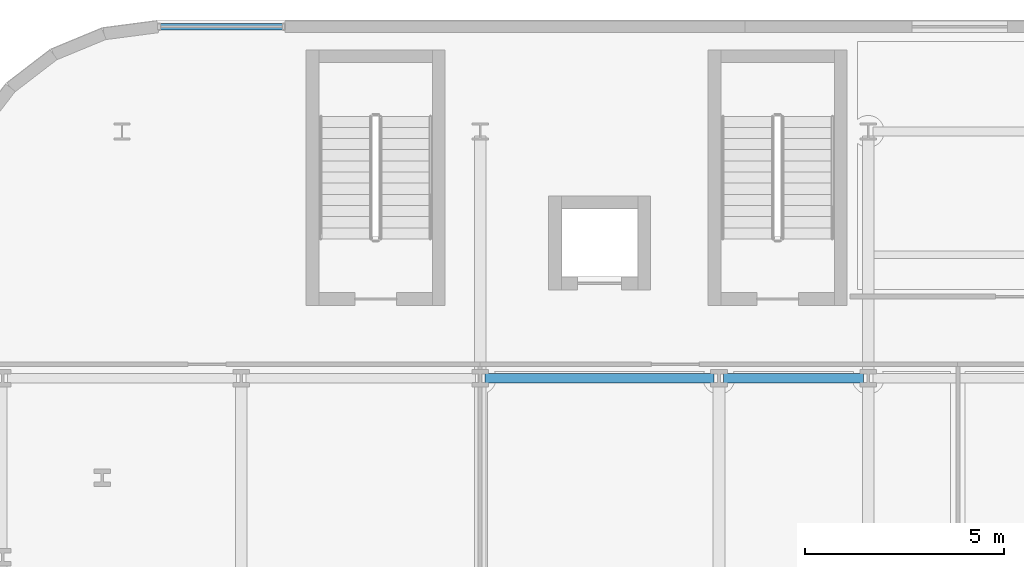
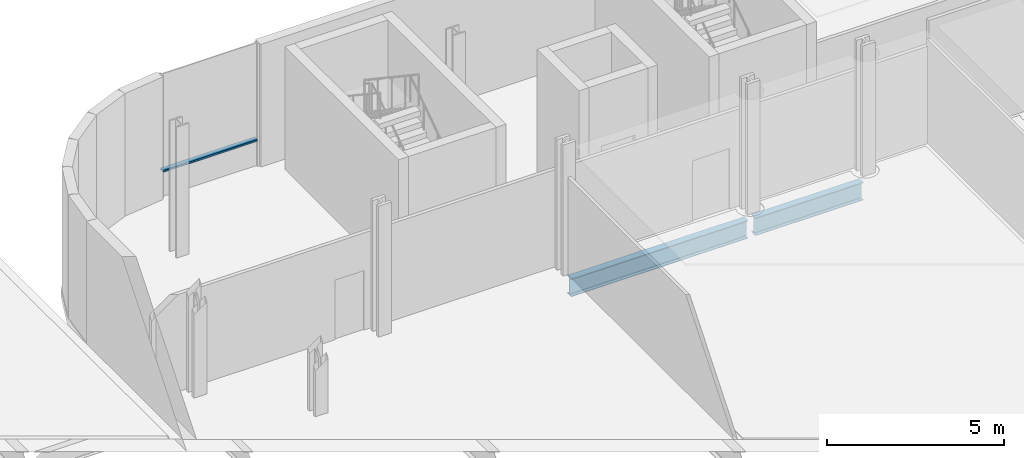
# One storey, part 5 of 26: 2 beams, 1 member, 1 element without a shape of its own.
"""IFC4 building model written with IfcOpenShell, lengths in metres."""

from ifc_helpers import new_model, si_unit, direction, frame, origin, origin_2d, place, context, subcontext, project, spatial, hollow_rectangle, i_section, extrude, material, layer, layer_set, material_profile, profile_set, type_object, element, aggregate, save


model = new_model("IFC4")

# Units and contexts
model_context = context("Model", 3, precision=1e-05, world=origin(), true_north=direction((0.0, 1.0)))
body_context = subcontext(model_context, "Body", "Model", "MODEL_VIEW")
ifc_project = project(units=[si_unit("LENGTHUNIT", "METRE"), si_unit("AREAUNIT", "SQUARE_METRE"), si_unit("VOLUMEUNIT", "CUBIC_METRE"), si_unit("PLANEANGLEUNIT", "RADIAN"), si_unit("MASSUNIT", "GRAM", prefix="KILO")], contexts=[model_context])

# Site, building, storey
site_placement = place(None, origin())
site = spatial("IfcSite", under=ifc_project, at=site_placement, CompositionType="ELEMENT")
building_placement = place(site_placement, origin())
building = spatial("IfcBuilding", under=site, at=building_placement, Name="Brevholm Reach", CompositionType="ELEMENT")
storey_placement = place(building_placement, frame((0.0, 0.0, 18.0)))
storey = spatial("IfcBuildingStorey", under=building, at=storey_placement, Name="L04", CompositionType="ELEMENT", Elevation=18.0)

# Beams
ifc_material_1 = material(Name="Structural Steel S355J2", Category="steel")
ifc_material_profile_1 = material_profile(ifc_material_1, i_section(OverallWidth=0.22900390625, OverallDepth=0.6123046875, WebThickness=0.011962890625, FlangeThickness=0.01953125, FilletRadius=0.0126953125, at=origin_2d()), Name="UKB 610x229x125")
ifc_profile_set_1 = profile_set([ifc_material_profile_1], Name="Structural Steel S355J2")
beam_type = type_object("IfcBeamType", Name="BM-SP610", PredefinedType="SPANDREL", material=ifc_profile_set_1)
beam_1_placement = place(storey_placement, frame((12.1201171875, 31.0, -0.586181640625), z_axis=(1.0, 0.0, 0.0), x_axis=(0.0, 1.0, 0.0)))
element("IfcBeam", 1, at=beam_1_placement, inside=storey, type_object=beam_type, Name="L04 SP-01 Framing Beam", PredefinedType="SPANDREL", context=body_context, shape_type="SweptSolid", body=[
    extrude(i_section(OverallWidth=0.22900390625, OverallDepth=0.6123046875, WebThickness=0.011962890625, FlangeThickness=0.01953125, FilletRadius=0.0126953125, at=origin_2d()), origin(), (0.0, 0.0, 1.0), 5.759765625),
])
beam_2_placement = place(storey_placement, frame((18.1201171875, 31.0, -0.586181640625), z_axis=(1.0, 0.0, 0.0), x_axis=(0.0, 1.0, 0.0)))
element("IfcBeam", 2, at=beam_2_placement, inside=storey, type_object=beam_type, Name="L04 SP-01 Framing Beam", PredefinedType="SPANDREL", context=body_context, shape_type="SweptSolid", body=[
    extrude(i_section(OverallWidth=0.22900390625, OverallDepth=0.6123046875, WebThickness=0.011962890625, FlangeThickness=0.01953125, FilletRadius=0.0126953125, at=origin_2d()), origin(), (0.0, 0.0, 1.0), 3.509765625),
])

# Curtain wall, member
ifc_material_2 = material(Name="Dark Anodised Aluminium 6063-T6 and Solar-Control Glass", Category="aluminium")
ifc_layer = layer(ifc_material_2, 0.1650390625)
ifc_layer_set = layer_set([ifc_layer], Name="Dark Anodised Aluminium 6063-T6 and Solar-Control Glass")
curtain_wall_type = type_object("IfcCurtainWallType", Name="CW-03", PredefinedType="NOTDEFINED", material=ifc_layer_set)
curtain_wall_placement = place(storey_placement, origin())
curtain_wall = element("IfcCurtainWall", 3, at=curtain_wall_placement, inside=storey, type_object=curtain_wall_type, Name="L04 Curtain Wall CW-03", PredefinedType="NOTDEFINED")
ifc_material_3 = material(Name="Dark Anodised Aluminium 6063-T6", Category="aluminium")
ifc_material_profile_2 = material_profile(ifc_material_3, hollow_rectangle(XDim=0.070068359375, YDim=0.1650390625, WallThickness=0.0048828125, InnerFilletRadius=0.0048828125, OuterFilletRadius=0.010009765625, at=origin_2d()), Name="RHS 165x70x5")
ifc_profile_set_2 = profile_set([ifc_material_profile_2], Name="Dark Anodised Aluminium 6063-T6")
member_type = type_object("IfcMemberType", Name="CWT-165", PredefinedType="NOTDEFINED", material=ifc_profile_set_2)
member_placement = place(storey_placement, frame((3.969970703125, 39.830078125, 0.89990234375), z_axis=(1.0, 0.0, 0.0), x_axis=(0.0, 0.0, 1.0)))
member = element("IfcMember", 4, at=member_placement, type_object=member_type, Name="CT-165 Transom 1.1", ObjectType="TRANSOM", PredefinedType="USERDEFINED", context=body_context, shape_type="SweptSolid", body=[
    extrude(hollow_rectangle(XDim=0.070068359375, YDim=0.1650390625, WallThickness=0.0048828125, InnerFilletRadius=0.0048828125, OuterFilletRadius=0.010009765625, at=origin_2d()), origin(), (0.0, 0.0, 1.0), 3.06005859375),
])
aggregate(curtain_wall, [member])

save(model, "model.ifc")
